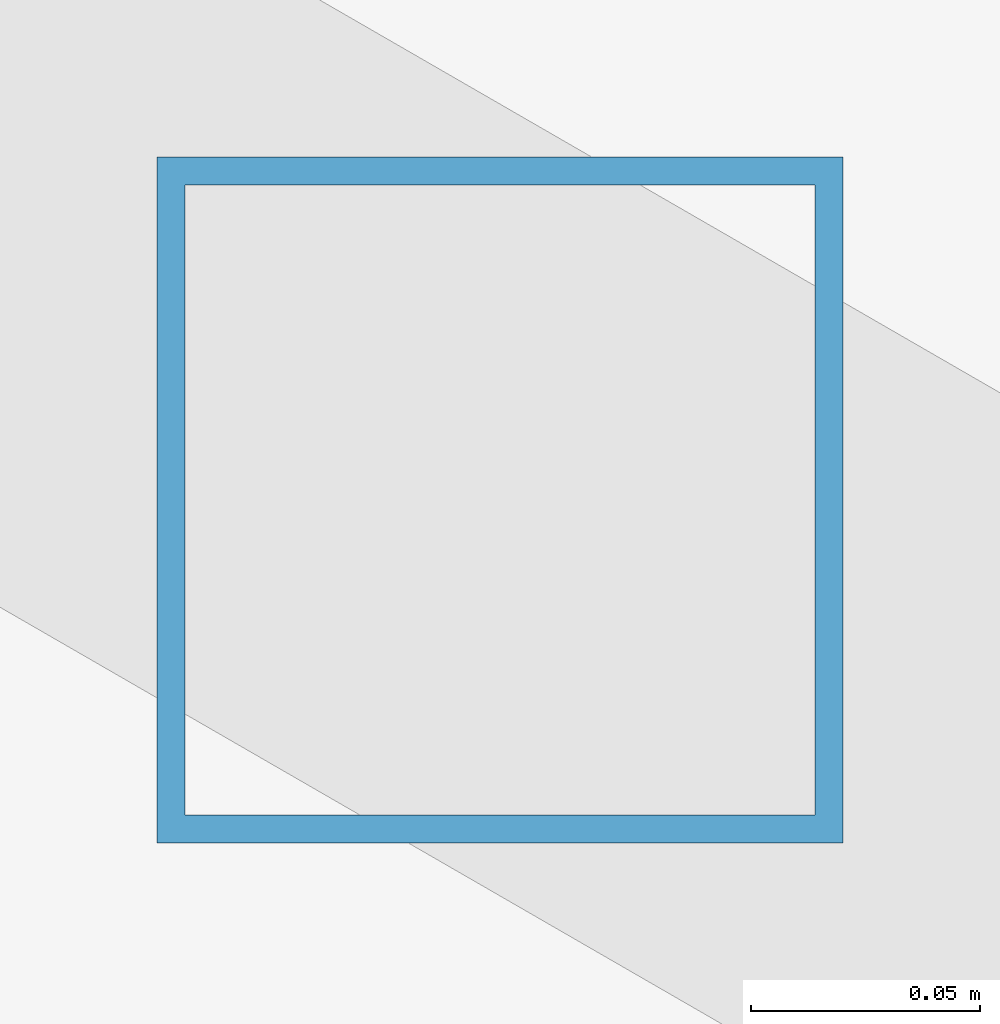
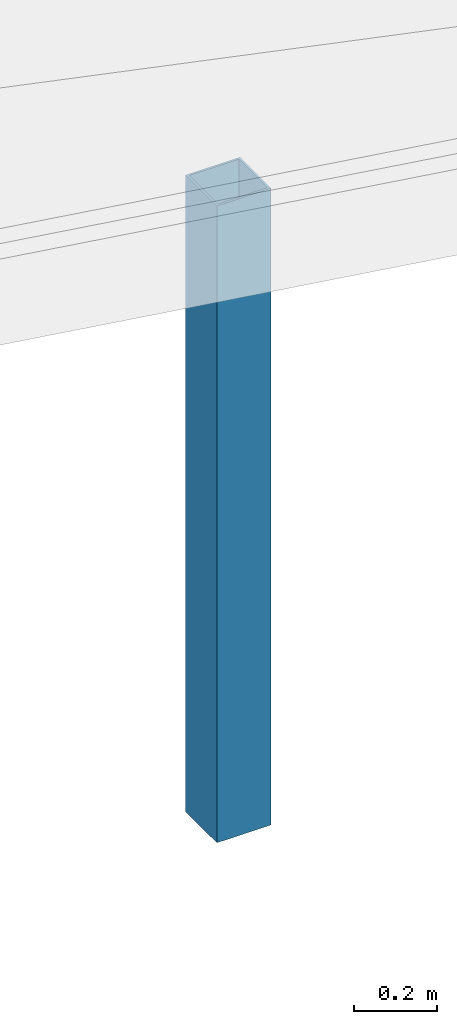
# One storey, part 108 of 200: 1 member.
"""IFC4 building model written with IfcOpenShell, lengths in metres."""

from ifc_helpers import new_model, si_unit, direction, frame, origin, origin_2d, place, context, subcontext, project, spatial, hollow_rectangle, extrude, material, material_profile, profile_set, type_object, element, save


model = new_model("IFC4")

# Units and contexts
model_context = context("Model", 3, precision=1e-05, world=origin(), true_north=direction((0.0, 1.0)))
body_context = subcontext(model_context, "Body", "Model", "MODEL_VIEW")
ifc_project = project(units=[si_unit("LENGTHUNIT", "METRE"), si_unit("AREAUNIT", "SQUARE_METRE"), si_unit("VOLUMEUNIT", "CUBIC_METRE"), si_unit("PLANEANGLEUNIT", "RADIAN"), si_unit("MASSUNIT", "GRAM", prefix="KILO")], contexts=[model_context])

# Site, building, storey
site_placement = place(None, origin())
site = spatial("IfcSite", under=ifc_project, at=site_placement, CompositionType="ELEMENT")
building_placement = place(site_placement, origin())
building = spatial("IfcBuilding", under=site, at=building_placement, Name="Vondelvale Polytechnic", CompositionType="ELEMENT")
storey_placement = place(building_placement, frame((0.0, 0.0, 13.800048828125)))
storey = spatial("IfcBuildingStorey", under=building, at=storey_placement, Name="L03", CompositionType="ELEMENT", Elevation=13.800048828125)

# Member
ifc_material = material(Name="Steel C350L0 (fy = 350 MPa)", Category="steel")
ifc_material_profile = material_profile(ifc_material, hollow_rectangle(XDim=0.14990234375, YDim=0.14990234375, WallThickness=0.006103515625, at=origin_2d()), Name="150x150x6.0SHS")
ifc_profile_set = profile_set([ifc_material_profile], Name="Steel C350L0 (fy = 350 MPa)")
member_type = type_object("IfcMemberType", Name="ROOF TRUSS POST 150SHS", PredefinedType="POST", material=ifc_profile_set)
member_placement = place(storey_placement, frame((134.04296875, 53.5, 0.0), z_axis=(0.0, 0.0, 1.0), x_axis=(1.0, 0.0, 0.0)))
element("IfcMember", 1, at=member_placement, inside=storey, type_object=member_type, Name="Ring mid roof post 22", PredefinedType="POST", context=body_context, shape_type="SweptSolid", body=[
    extrude(hollow_rectangle(XDim=0.14990234375, YDim=0.14990234375, WallThickness=0.006103515625, at=origin_2d()), origin(), (0.0, 0.0, 1.0), 1.86572265625),
])

save(model, "model.ifc")
